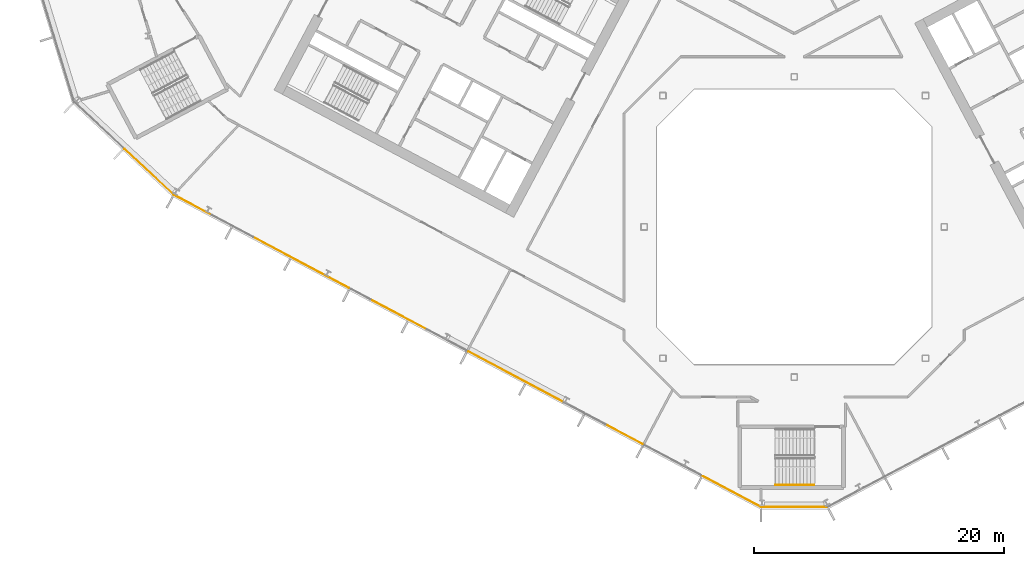
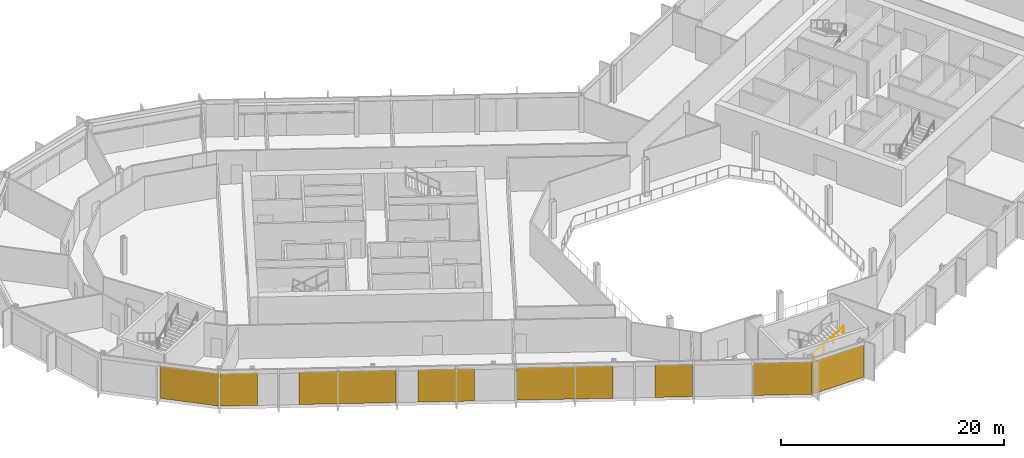
# One storey, part 19 of 28: 8 coverings, 1 railing, 3 elements without a shape of their own.
"""IFC4 building model written with IfcOpenShell, lengths in metres."""

from ifc_helpers import new_model, si_unit, direction, frame, origin, origin_2d, place, context, subcontext, project, spatial, polyline, rectangle, outline, extrude, material, layer, layer_set, type_object, element, aggregate, save


model = new_model("IFC4")

# Units and contexts
model_context = context("Model", 3, precision=1e-05, world=origin(), true_north=direction((0.0, 1.0)))
body_context = subcontext(model_context, "Body", "Model", "MODEL_VIEW")
ifc_project = project(units=[si_unit("LENGTHUNIT", "METRE"), si_unit("AREAUNIT", "SQUARE_METRE"), si_unit("VOLUMEUNIT", "CUBIC_METRE"), si_unit("PLANEANGLEUNIT", "RADIAN"), si_unit("MASSUNIT", "GRAM", prefix="KILO")], contexts=[model_context])

# Site, building, storey
site_placement = place(None, origin())
site = spatial("IfcSite", under=ifc_project, at=site_placement, CompositionType="ELEMENT")
building_placement = place(site_placement, origin())
building = spatial("IfcBuilding", under=site, at=building_placement, Name="Cormorant Relay Tower", CompositionType="ELEMENT")
storey_placement = place(building_placement, frame((0.0, 0.0, 170.199951171875)))
storey = spatial("IfcBuildingStorey", under=building, at=storey_placement, Name="L36", CompositionType="ELEMENT", Elevation=170.199951171875)

# Curtain wall, covering
ifc_material_1 = material(Name="Aluminium 6063-T6 anodised bronze", Category="aluminium")
ifc_layer_1 = layer(ifc_material_1, 0.199951171875)
ifc_layer_set_1 = layer_set([ifc_layer_1], Name="CW1 unitised bronze curtain wall with vertical fins")
curtain_wall_type = type_object("IfcCurtainWallType", Name="CW1 unitised bronze curtain wall with vertical fins", PredefinedType="NOTDEFINED", material=ifc_layer_set_1)
curtain_wall_1_placement = place(storey_placement, origin())
curtain_wall_1 = element("IfcCurtainWall", 1, at=curtain_wall_1_placement, inside=storey, type_object=curtain_wall_type, Name="CW1 curtain wall 1", PredefinedType="NOTDEFINED")
ifc_material_2 = material(Name="Pale bronze anodised aluminium insulated panel", Category="aluminium")
ifc_layer_2 = layer(ifc_material_2, 0.0400390625)
ifc_layer_set_2 = layer_set([ifc_layer_2], Name="CW1 pale bronze insulated panel 40")
covering_type = type_object("IfcCoveringType", Name="CW1 pale bronze insulated panel 40", PredefinedType="CLADDING", material=ifc_layer_set_2)
covering_1_placement = place(storey_placement, frame((0.03759765625, -22.3955078125, 0.0), z_axis=(0.0, 0.0, 1.0), x_axis=(1.0, 0.0, 0.0)))
covering_1 = element("IfcCovering", 2, at=covering_1_placement, type_object=covering_type, Name="CW1 panel S00", PredefinedType="CLADDING", context=body_context, shape_type="SweptSolid", body=[
    extrude(rectangle(XDim=5.22265625, YDim=0.0400390625, at=origin_2d()), origin(), (0.0, 0.0, 1.0), 3.550048828125),
])
aggregate(curtain_wall_1, [covering_1])

curtain_wall_2_placement = place(storey_placement, origin())
curtain_wall_2 = element("IfcCurtainWall", 3, at=curtain_wall_2_placement, inside=storey, type_object=curtain_wall_type, Name="CW1 curtain wall 15", PredefinedType="NOTDEFINED")
covering_2_placement = place(storey_placement, frame((-51.565185546875, 4.3974609375, 0.0), z_axis=(0.0, 0.0, 1.0), x_axis=(0.731353701619, -0.681998360062, 0.0)))
covering_2 = element("IfcCovering", 4, at=covering_2_placement, type_object=covering_type, Name="CW1 panel S01", PredefinedType="CLADDING", context=body_context, shape_type="SweptSolid", body=[
    extrude(rectangle(XDim=5.360107421875, YDim=0.0400390625, at=origin_2d()), origin(), (0.0, 0.0, 1.0), 3.550048828125),
])
aggregate(curtain_wall_2, [covering_2])

# Curtain wall, coverings
curtain_wall_3_placement = place(storey_placement, origin())
curtain_wall_3 = element("IfcCurtainWall", 5, at=curtain_wall_3_placement, inside=storey, type_object=curtain_wall_type, Name="CW1 curtain wall 16", PredefinedType="NOTDEFINED")
covering_3_placement = place(storey_placement, frame((-48.048583984375, 1.7412109375, 0.0), z_axis=(0.0, 0.0, 1.0), x_axis=(0.882947592859, -0.469471562786, 0.0)))
covering_3 = element("IfcCovering", 6, at=covering_3_placement, type_object=covering_type, Name="CW1 panel S00", PredefinedType="CLADDING", context=body_context, shape_type="SweptSolid", body=[
    extrude(rectangle(XDim=3.36669921875, YDim=0.0400390625, at=origin_2d()), origin(), (0.0, 0.0, 1.0), 3.550048828125),
])
covering_4_placement = place(storey_placement, frame((-39.417724609375, -2.847900390625, 0.0), z_axis=(0.0, 0.0, 1.0), x_axis=(0.882947592859, -0.469471562786, 0.0)))
covering_4 = element("IfcCovering", 7, at=covering_4_placement, type_object=covering_type, Name="CW1 panel S03", PredefinedType="CLADDING", context=body_context, shape_type="SweptSolid", body=[
    extrude(rectangle(XDim=8.68310546875, YDim=0.0400390625, at=origin_2d()), origin(), (0.0, 0.0, 1.0), 3.550048828125),
])
covering_5_placement = place(storey_placement, frame((-31.618408203125, -6.994873046875, 0.0), z_axis=(0.0, 0.0, 1.0), x_axis=(0.882947592859, -0.469471562786, 0.0)))
covering_5 = element("IfcCovering", 8, at=covering_5_placement, type_object=covering_type, Name="CW1 panel S05", PredefinedType="CLADDING", context=body_context, shape_type="SweptSolid", body=[
    extrude(rectangle(XDim=5.083251953125, YDim=0.0400390625, at=origin_2d()), origin(), (0.0, 0.0, 1.0), 3.550048828125),
])
covering_6_placement = place(storey_placement, frame((-22.22998046875, -11.98681640625, 0.0), z_axis=(0.0, 0.0, 1.0), x_axis=(0.882947592859, -0.469471562786, 0.0)))
covering_6 = element("IfcCovering", 9, at=covering_6_placement, type_object=covering_type, Name="CW1 panel S07", PredefinedType="CLADDING", context=body_context, shape_type="SweptSolid", body=[
    extrude(rectangle(XDim=8.68310546875, YDim=0.0400390625, at=origin_2d()), origin(), (0.0, 0.0, 1.0), 3.550048828125),
])
covering_7_placement = place(storey_placement, frame((-13.599365234375, -16.57568359375, 0.0), z_axis=(0.0, 0.0, 1.0), x_axis=(0.882947592859, -0.469471562786, 0.0)))
covering_7 = element("IfcCovering", 10, at=covering_7_placement, type_object=covering_type, Name="CW1 panel S10", PredefinedType="CLADDING", context=body_context, shape_type="SweptSolid", body=[
    extrude(rectangle(XDim=3.36669921875, YDim=0.0400390625, at=origin_2d()), origin(), (0.0, 0.0, 1.0), 3.550048828125),
])
covering_8_placement = place(storey_placement, frame((-4.972412109375, -21.162841796875, 0.0), z_axis=(0.0, 0.0, 1.0), x_axis=(0.882947592859, -0.469471562786, 0.0)))
covering_8 = element("IfcCovering", 11, at=covering_8_placement, type_object=covering_type, Name="CW1 panel S12", PredefinedType="CLADDING", context=body_context, shape_type="SweptSolid", body=[
    extrude(rectangle(XDim=5.24169921875, YDim=0.0400390625, at=origin_2d()), origin(), (0.0, 0.0, 1.0), 3.550048828125),
])
aggregate(curtain_wall_3, [covering_3, covering_4, covering_5, covering_6, covering_7, covering_8])

# Railing
ifc_material_3 = material(Name="Steel ASTM A572 Grade 50 (Fy 345 MPa)", Category="steel")
railing_type = type_object("IfcRailingType", Name="Stair handrail 900", PredefinedType="HANDRAIL", material=ifc_material_3)
railing_placement = place(storey_placement, frame((-1.47998046875, -20.625, 2.166748046875)))
element("IfcRailing", 12, at=railing_placement, inside=storey, type_object=railing_type, Name="L36 RK1 stair handrail 2", PredefinedType="HANDRAIL", context=body_context, shape_type="SweptSolid", body=[
    extrude(outline(polyline([(0.022216796875, 0.00927734375), (0.00927734375, 0.022216796875), (-0.00927734375, 0.022216796875), (-0.022216796875, 0.00927734375), (-0.022216796875, -0.00927734375), (-0.00927734375, -0.022216796875), (0.00927734375, -0.022216796875), (0.022216796875, -0.00927734375), (0.022216796875, 0.00927734375)])), frame((0.0, 0.0, 0.8759765625), z_axis=(0.859308565015, 0.0, 0.511457515432), x_axis=(0.0, 1.0, 0.0)), (0.0, 0.0, 1.0), 3.58447265625),
    extrude(outline(polyline([(0.019287109375, 0.008056640625), (0.008056640625, 0.019287109375), (-0.008056640625, 0.019287109375), (-0.019287109375, 0.008056640625), (-0.019287109375, -0.008056640625), (-0.008056640625, -0.019287109375), (0.008056640625, -0.019287109375), (0.019287109375, -0.008056640625), (0.019287109375, 0.008056640625)])), origin(), (0.0, 0.0, 1.0), 0.851806640625),
    extrude(outline(polyline([(0.019287109375, 0.008056640625), (0.008056640625, 0.019287109375), (-0.008056640625, 0.019287109375), (-0.019287109375, 0.008056640625), (-0.019287109375, -0.008056640625), (-0.008056640625, -0.019287109375), (0.008056640625, -0.019287109375), (0.019287109375, -0.008056640625), (0.019287109375, 0.008056640625)])), frame((1.026611328125, 0.0, 0.611083984375)), (0.0, 0.0, 1.0), 0.851806640625),
    extrude(outline(polyline([(0.019287109375, 0.008056640625), (0.008056640625, 0.019287109375), (-0.008056640625, 0.019287109375), (-0.019287109375, 0.008056640625), (-0.019287109375, -0.008056640625), (-0.008056640625, -0.019287109375), (0.008056640625, -0.019287109375), (0.019287109375, -0.008056640625), (0.019287109375, 0.008056640625)])), frame((2.053466796875, 0.0, 1.22216796875)), (0.0, 0.0, 1.0), 0.851806640625),
    extrude(outline(polyline([(0.019287109375, 0.008056640625), (0.008056640625, 0.019287109375), (-0.008056640625, 0.019287109375), (-0.019287109375, 0.008056640625), (-0.019287109375, -0.008056640625), (-0.008056640625, -0.019287109375), (0.008056640625, -0.019287109375), (0.019287109375, -0.008056640625), (0.019287109375, 0.008056640625)])), frame((3.080078125, 0.0, 1.833251953125)), (0.0, 0.0, 1.0), 0.851806640625),
])

save(model, "model.ifc")
